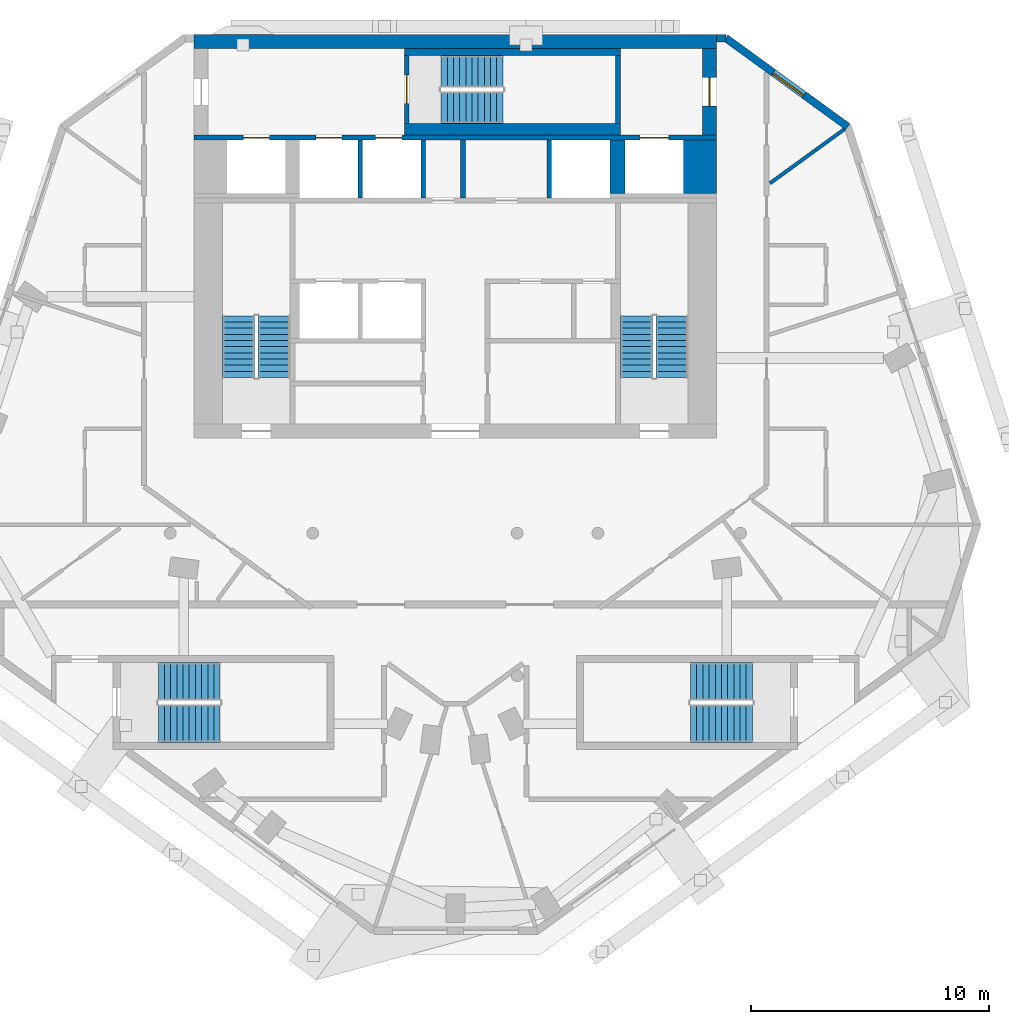
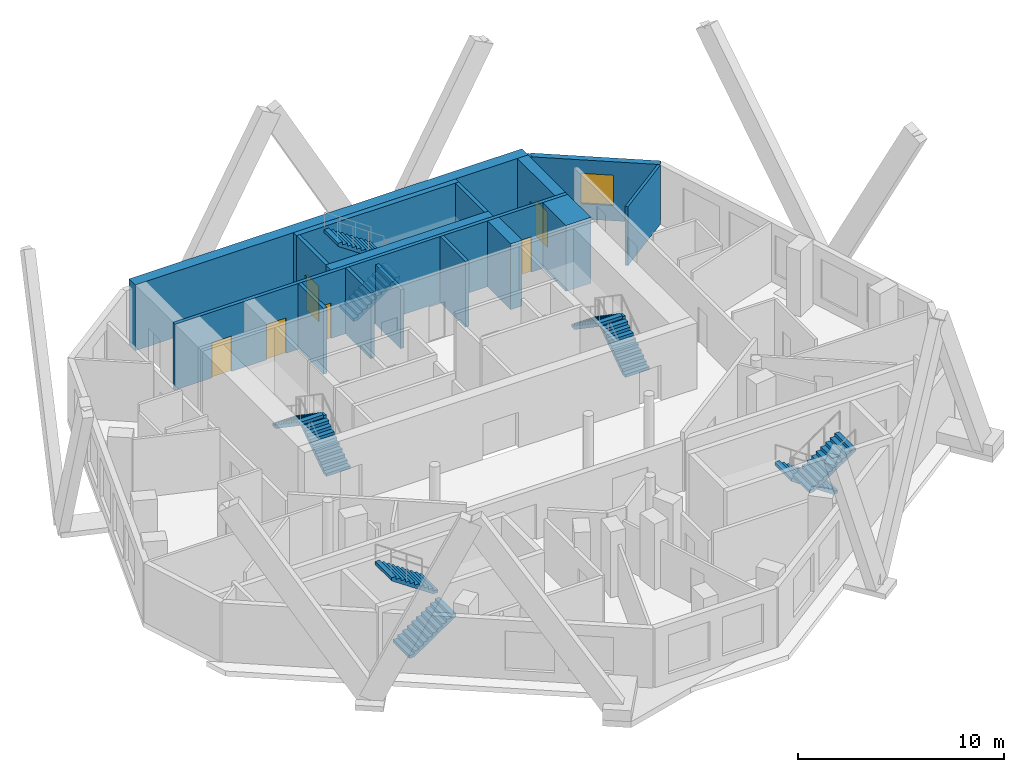
# One storey, part 6 of 8: 16 walls, 10 stair flights, 6 doors, 1 window, 7 openings, 5 elements without a shape of their own.
"""IFC4 building model written with IfcOpenShell, lengths in metres."""

from ifc_helpers import new_model, si_unit, direction, frame, frame_2d, origin, place, context, subcontext, project, spatial, polyline, rectangle, outline, extrude, material, layer, layer_set, type_object, element, fill, aggregate, save


model = new_model("IFC4")

# Units and contexts
model_context = context("Model", 3, precision=1e-05, world=origin(), true_north=direction((0.0, 1.0)))
body_context = subcontext(model_context, "Body", "Model", "MODEL_VIEW")
ifc_project = project(units=[si_unit("LENGTHUNIT", "METRE"), si_unit("AREAUNIT", "SQUARE_METRE"), si_unit("VOLUMEUNIT", "CUBIC_METRE"), si_unit("PLANEANGLEUNIT", "RADIAN"), si_unit("MASSUNIT", "GRAM", prefix="KILO")], contexts=[model_context])

# Site, building, storey
site_placement = place(None, origin())
site = spatial("IfcSite", under=ifc_project, at=site_placement, CompositionType="ELEMENT")
building_placement = place(site_placement, origin())
building = spatial("IfcBuilding", under=site, at=building_placement, Name="White Candle Pilgrim Tower", CompositionType="ELEMENT")
storey_placement = place(building_placement, frame((0.0, 0.0, 317.800048828125)))
storey = spatial("IfcBuildingStorey", under=building, at=storey_placement, Name="L75", CompositionType="ELEMENT", Elevation=317.800048828125)

# Wall
ifc_material_1 = material(Name="Concrete C40/50", Category="concrete")
ifc_layer_1 = layer(ifc_material_1, 1.39990234375)
ifc_layer_set_1 = layer_set([ifc_layer_1], Name="Core wall 1400 mm Concrete C40/50")
wall_type_1 = type_object("IfcWallType", Name="Core wall 1400 mm Concrete C40/50", PredefinedType="SHEAR", material=ifc_layer_set_1)
wall_1_placement = place(storey_placement, frame((80.300048828125, 81.300048828125, 0.0), z_axis=(0.0, 0.0, 1.0), x_axis=(0.0, 1.0, 0.0)))
element("IfcWall", 1, at=wall_1_placement, inside=storey, type_object=wall_type_1, Name="WL-L75-C43", PredefinedType="SHEAR", context=body_context, shape_type="SweptSolid", body=[
    extrude(rectangle(XDim=2.25, YDim=1.39990234375, at=frame_2d((1.125, 0.0))), origin(), (0.0, 0.0, 1.0), 3.89990234375),
])

# Wall, openings, doors
ifc_layer_2 = layer(ifc_material_1, 0.199951171875)
ifc_layer_set_2 = layer_set([ifc_layer_2], Name="Core wall 200 mm Concrete C40/50")
wall_type_2 = type_object("IfcWallType", Name="Core wall 200 mm Concrete C40/50", PredefinedType="SHEAR", material=ifc_layer_set_2)
wall_2_placement = place(storey_placement, frame((59.0, 83.64990234375, 0.0), z_axis=(0.0, 0.0, 1.0), x_axis=(1.0, 0.0, 0.0)))
wall_2 = element("IfcWall", 2, at=wall_2_placement, inside=storey, type_object=wall_type_2, Name="WL-L75-C44", PredefinedType="SHEAR", context=body_context, shape_type="SweptSolid", body=[
    extrude(rectangle(XDim=22.0, YDim=0.199951171875, at=frame_2d((11.0, 0.0))), origin(), (0.0, 0.0, 1.0), 3.89990234375),
])
opening_1_placement = place(wall_2_placement, frame((5.125, 0.0, 0.0)))
opening_1 = element("IfcOpeningElement", 3, at=opening_1_placement, cuts=wall_2, Name="Opening T23-016", PredefinedType="OPENING", context=body_context, shape_type="SweptSolid", body=[
    extrude(rectangle(XDim=1.10009765625, YDim=2.10009765625, at=frame_2d((0.550048828125, 1.050048828125))), frame((0.0, 0.10986328125, 0.0), z_axis=(0.0, -1.0, 0.0), x_axis=(1.0, 0.0, 0.0)), (0.0, 0.0, 1.0), 0.219970703125),
])
opening_2_placement = place(wall_2_placement, frame((7.64990234375, 0.0, 0.0)))
opening_2 = element("IfcOpeningElement", 4, at=opening_2_placement, cuts=wall_2, Name="Opening T23-017", PredefinedType="OPENING", context=body_context, shape_type="SweptSolid", body=[
    extrude(rectangle(XDim=1.10009765625, YDim=2.10009765625, at=frame_2d((0.550048828125, 1.050048828125))), frame((0.0, 0.10986328125, 0.0), z_axis=(0.0, -1.0, 0.0), x_axis=(1.0, 0.0, 0.0)), (0.0, 0.0, 1.0), 0.219970703125),
])
opening_3_placement = place(wall_2_placement, frame((18.77490234375, 0.0, 0.0)))
opening_3 = element("IfcOpeningElement", 5, at=opening_3_placement, cuts=wall_2, Name="Opening T23-018", PredefinedType="OPENING", context=body_context, shape_type="SweptSolid", body=[
    extrude(rectangle(XDim=1.199951171875, YDim=2.10009765625, at=frame_2d((0.60009765625, 1.050048828125))), frame((0.0, 0.10986328125, 0.0), z_axis=(0.0, -1.0, 0.0), x_axis=(1.0, 0.0, 0.0)), (0.0, 0.0, 1.0), 0.219970703125),
])
opening_4_placement = place(wall_2_placement, frame((2.074951171875, 0.0, 0.0)))
opening_4 = element("IfcOpeningElement", 6, at=opening_4_placement, cuts=wall_2, Name="Opening T23-019", PredefinedType="OPENING", context=body_context, shape_type="SweptSolid", body=[
    extrude(rectangle(XDim=1.10009765625, YDim=2.10009765625, at=frame_2d((0.550048828125, 1.050048828125))), frame((0.0, 0.10986328125, 0.0), z_axis=(0.0, -1.0, 0.0), x_axis=(1.0, 0.0, 0.0)), (0.0, 0.0, 1.0), 0.219970703125),
])
ifc_material_2 = material(Name="Stainless steel", Category="steel")
door_type_1 = type_object("IfcDoorType", Name="Lift landing door 1100 x 2100 EI 60", OperationType="DOUBLE_DOOR_SLIDING", PredefinedType="DOOR", material=ifc_material_2)
door_1_placement = place(opening_1_placement, origin())
door_1 = element("IfcDoor", 7, at=door_1_placement, inside=storey, type_object=door_type_1, Name="Door T23-016", OperationType="DOUBLE_DOOR_SLIDING", OverallHeight=2.10009765625, OverallWidth=1.10009765625, PredefinedType="DOOR", context=body_context, shape_type="SweptSolid", body=[
    extrude(rectangle(XDim=1.10009765625, YDim=2.10009765625, at=frame_2d((0.550048828125, 1.050048828125))), frame((0.0, 0.02490234375, 0.0), z_axis=(0.0, -1.0, 0.0), x_axis=(1.0, 0.0, 0.0)), (0.0, 0.0, 1.0), 0.050048828125),
])
fill(opening_1, door_1)
door_2_placement = place(opening_2_placement, origin())
door_2 = element("IfcDoor", 8, at=door_2_placement, inside=storey, type_object=door_type_1, Name="Door T23-017", OperationType="DOUBLE_DOOR_SLIDING", OverallHeight=2.10009765625, OverallWidth=1.10009765625, PredefinedType="DOOR", context=body_context, shape_type="SweptSolid", body=[
    extrude(rectangle(XDim=1.10009765625, YDim=2.10009765625, at=frame_2d((0.550048828125, 1.050048828125))), frame((0.0, 0.02490234375, 0.0), z_axis=(0.0, -1.0, 0.0), x_axis=(1.0, 0.0, 0.0)), (0.0, 0.0, 1.0), 0.050048828125),
])
fill(opening_2, door_2)
door_3_placement = place(opening_4_placement, origin())
door_3 = element("IfcDoor", 9, at=door_3_placement, inside=storey, type_object=door_type_1, Name="Door T23-019", OperationType="DOUBLE_DOOR_SLIDING", OverallHeight=2.10009765625, OverallWidth=1.10009765625, PredefinedType="DOOR", context=body_context, shape_type="SweptSolid", body=[
    extrude(rectangle(XDim=1.10009765625, YDim=2.10009765625, at=frame_2d((0.550048828125, 1.050048828125))), frame((0.0, 0.02490234375, 0.0), z_axis=(0.0, -1.0, 0.0), x_axis=(1.0, 0.0, 0.0)), (0.0, 0.0, 1.0), 0.050048828125),
])
fill(opening_4, door_3)
door_type_2 = type_object("IfcDoorType", Name="Lift landing door 1200 x 2100 E 60", OperationType="DOUBLE_DOOR_SLIDING", PredefinedType="DOOR", material=ifc_material_2)
door_4_placement = place(opening_3_placement, origin())
door_4 = element("IfcDoor", 10, at=door_4_placement, inside=storey, type_object=door_type_2, Name="Door T23-018", OperationType="DOUBLE_DOOR_SLIDING", OverallHeight=2.10009765625, OverallWidth=1.199951171875, PredefinedType="DOOR", context=body_context, shape_type="SweptSolid", body=[
    extrude(rectangle(XDim=1.199951171875, YDim=2.10009765625, at=frame_2d((0.60009765625, 1.050048828125))), frame((0.0, 0.02490234375, 0.0), z_axis=(0.0, -1.0, 0.0), x_axis=(1.0, 0.0, 0.0)), (0.0, 0.0, 1.0), 0.050048828125),
])
fill(opening_3, door_4)

# Wall, opening, door
ifc_layer_3 = layer(ifc_material_1, 0.60009765625)
ifc_layer_set_3 = layer_set([ifc_layer_3], Name="Core wall 600 mm Concrete C40/50")
wall_type_3 = type_object("IfcWallType", Name="Core wall 600 mm Concrete C40/50", PredefinedType="SHEAR", material=ifc_layer_set_3)
wall_3_placement = place(storey_placement, frame((80.699951171875, 83.75, 0.0), z_axis=(0.0, 0.0, 1.0), x_axis=(0.0, 1.0, 0.0)))
wall_3 = element("IfcWall", 11, at=wall_3_placement, inside=storey, type_object=wall_type_3, Name="WL-L75-C47", PredefinedType="SHEAR", context=body_context, shape_type="SweptSolid", body=[
    extrude(rectangle(XDim=3.64990234375, YDim=0.60009765625, at=frame_2d((1.824951171875, 0.0))), origin(), (0.0, 0.0, 1.0), 3.89990234375),
])
opening_5_placement = place(wall_3_placement, frame((1.22509765625, 0.0, 0.0)))
opening_5 = element("IfcOpeningElement", 12, at=opening_5_placement, cuts=wall_3, Name="Opening T23-009", PredefinedType="OPENING", context=body_context, shape_type="SweptSolid", body=[
    extrude(rectangle(XDim=1.199951171875, YDim=2.10009765625, at=frame_2d((0.60009765625, 1.050048828125))), frame((0.0, 0.31005859375, 0.0), z_axis=(0.0, -1.0, 0.0), x_axis=(1.0, 0.0, 0.0)), (0.0, 0.0, 1.0), 0.6201171875),
])
ifc_material_3 = material(Name="Steel door leaf", Category="steel")
door_type_3 = type_object("IfcDoorType", Name="Fire door 1200 x 2100 EI 30", OperationType="NOTDEFINED", PredefinedType="DOOR", material=ifc_material_3)
door_5_placement = place(opening_5_placement, origin())
door_5 = element("IfcDoor", 13, at=door_5_placement, inside=storey, type_object=door_type_3, Name="Door T23-009", OperationType="SINGLE_SWING_LEFT", OverallHeight=2.10009765625, OverallWidth=1.199951171875, PredefinedType="DOOR", context=body_context, shape_type="SweptSolid", body=[
    extrude(rectangle(XDim=1.199951171875, YDim=2.10009765625, at=frame_2d((0.60009765625, 1.050048828125))), frame((0.0, 0.02490234375, 0.0), z_axis=(0.0, -1.0, 0.0), x_axis=(1.0, 0.0, 0.0)), (0.0, 0.0, 1.0), 0.050048828125),
])
fill(opening_5, door_5)

# Wall
wall_4_placement = place(storey_placement, frame((59.0, 87.699951171875, 0.0), z_axis=(0.0, 0.0, 1.0), x_axis=(1.0, 0.0, 0.0)))
element("IfcWall", 14, at=wall_4_placement, inside=storey, type_object=wall_type_3, Name="WL-L75-C51", PredefinedType="SHEAR", context=body_context, shape_type="SweptSolid", body=[
    extrude(rectangle(XDim=22.0, YDim=0.60009765625, at=frame_2d((11.0, 0.0))), origin(), (0.0, 0.0, 1.0), 3.89990234375),
])

# Wall, opening, window
ifc_material_4 = material(Name="Precast concrete C40/50", Category="concrete")
ifc_layer_4 = layer(ifc_material_4, 0.320068359375)
ifc_layer_set_4 = layer_set([ifc_layer_4], Name="Facade wall EW1 precast concrete C40/50 pier wall with timber-lined reveals")
wall_type_4 = type_object("IfcWallType", Name="Facade wall EW1 precast concrete C40/50 pier wall with timber-lined reveals", PredefinedType="SOLIDWALL", material=ifc_layer_set_4)
wall_5_placement = place(storey_placement, frame((86.5205078125, 84.10888671875, 0.0), z_axis=(0.0, 0.0, 1.0), x_axis=(-0.809013740323, 0.587789731084, 0.0)))
wall_5 = element("IfcWall", 15, at=wall_5_placement, inside=storey, type_object=wall_type_4, Name="Facade wall L75 NE chamfer", PredefinedType="SOLIDWALL", context=body_context, shape_type="SweptSolid", body=[
    extrude(rectangle(XDim=6.347900390625, YDim=0.320068359375, at=frame_2d((3.173828125, 0.0))), origin(), (0.0, 0.0, 1.0), 3.5),
])
opening_6_placement = place(wall_5_placement, frame((2.27392578125, 0.0, 0.89990234375)))
opening_6 = element("IfcOpeningElement", 16, at=opening_6_placement, cuts=wall_5, Name="Opening W2", PredefinedType="OPENING", context=body_context, shape_type="SweptSolid", body=[
    extrude(rectangle(XDim=1.60009765625, YDim=1.800048828125, at=frame_2d((0.800048828125, 0.89990234375))), frame((0.0, 0.169921875, 0.0), z_axis=(0.0, -1.0, 0.0), x_axis=(1.0, 0.0, 0.0)), (0.0, 0.0, 1.0), 0.340087890625),
])
ifc_material_5 = material(Name="Timber frame with triple glazing", Category="wood")
window_type = type_object("IfcWindowType", Name="Window W2 1600x1800 timber frame triple glazing", PartitioningType="SINGLE_PANEL", PredefinedType="WINDOW", material=ifc_material_5)
window_placement = place(opening_6_placement, origin())
window = element("IfcWindow", 17, at=window_placement, inside=storey, type_object=window_type, Name="Window W2 L75 NE chamfer 1", OverallHeight=1.800048828125, OverallWidth=1.60009765625, PartitioningType="SINGLE_PANEL", PredefinedType="WINDOW", context=body_context, shape_type="SweptSolid", body=[
    extrude(rectangle(XDim=1.60009765625, YDim=1.800048828125, at=frame_2d((0.800048828125, 0.89990234375))), frame((0.0, 0.070068359375, 0.0), z_axis=(0.0, -1.0, 0.0), x_axis=(1.0, 0.0, 0.0)), (0.0, 0.0, 1.0), 0.06005859375),
])
fill(opening_6, window)

# Walls
wall_6_placement = place(storey_placement, frame((81.385009765625, 87.840087890625, 0.0), z_axis=(0.0, 0.0, 1.0), x_axis=(-1.0, 0.0, 0.0)))
element("IfcWall", 18, at=wall_6_placement, inside=storey, type_object=wall_type_4, Name="Facade wall L75 N", PredefinedType="SOLIDWALL", context=body_context, shape_type="SweptSolid", body=[
    extrude(rectangle(XDim=0.385009765625, YDim=0.320068359375, at=frame_2d((0.1923828125, 0.0))), origin(), (0.0, 0.0, 1.0), 3.5),
])
ifc_material_6 = material(Name="Gypsum board on steel studs", Category="steel")
ifc_layer_5 = layer(ifc_material_6, 0.199951171875)
ifc_layer_set_5 = layer_set([ifc_layer_5], Name="Lobby wall 200 mm EI 60")
wall_type_5 = type_object("IfcWallType", Name="Lobby wall 200 mm EI 60", PredefinedType="PARTITIONING", material=ifc_layer_set_5)
wall_7_placement = place(storey_placement, frame((70.320068359375, 81.10009765625, 0.0), z_axis=(0.0, 0.0, 1.0), x_axis=(0.0, 1.0, 0.0)))
element("IfcWall", 19, at=wall_7_placement, inside=storey, type_object=wall_type_5, Name="WL-L75-C37", PredefinedType="PARTITIONING", context=body_context, shape_type="SweptSolid", body=[
    extrude(rectangle(XDim=2.449951171875, YDim=0.199951171875, at=frame_2d((1.22509765625, 0.0))), origin(), (0.0, 0.0, 1.0), 3.5),
])
ifc_layer_6 = layer(ifc_material_6, 0.14990234375)
ifc_layer_set_6 = layer_set([ifc_layer_6], Name="Partition 150 mm EI 60")
wall_type_6 = type_object("IfcWallType", Name="Partition 150 mm EI 60", PredefinedType="PARTITIONING", material=ifc_layer_set_6)
wall_8_placement = place(storey_placement, frame((86.384521484375, 84.010009765625, 0.0), z_axis=(0.0, 0.0, 1.0), x_axis=(-0.809002534855, -0.5878051536, 0.0)))
element("IfcWall", 20, at=wall_8_placement, inside=storey, type_object=wall_type_6, Name="WL-L75-P024", PredefinedType="PARTITIONING", context=body_context, shape_type="SweptSolid", body=[
    extrude(rectangle(XDim=3.8818359375, YDim=0.14990234375, at=frame_2d((1.94091796875, 0.0))), origin(), (0.0, 0.0, 1.0), 3.5),
])
ifc_layer_7 = layer(ifc_material_1, 0.199951171875)
ifc_layer_set_7 = layer_set([ifc_layer_7], Name="Shaft wall 200 mm Concrete C40/50")
wall_type_7 = type_object("IfcWallType", Name="Shaft wall 200 mm Concrete C40/50", PredefinedType="SHEAR", material=ifc_layer_set_7)
for number, where, z_axis, x_axis, name in (
    (21, (66.0, 81.10009765625, 0.0), (0.0, 0.0, 1.0), (0.0, 1.0, 0.0), "WL-L75-C35"),
    (22, (68.64990234375, 81.10009765625, 0.0), (0.0, 0.0, 1.0), (0.0, 1.0, 0.0), "WL-L75-C36"),
    (23, (73.949951171875, 81.10009765625, 0.0), (0.0, 0.0, 1.0), (0.0, 1.0, 0.0), "WL-L75-C38"),
):
    element("IfcWall", number, at=place(storey_placement, frame(where, z_axis=z_axis, x_axis=x_axis)), inside=storey, type_object=wall_type_7, Name=name, PredefinedType="SHEAR", context=body_context, shape_type="SweptSolid", body=[
        extrude(rectangle(XDim=2.449951171875, YDim=0.199951171875, at=frame_2d((1.22509765625, 0.0))), origin(), (0.0, 0.0, 1.0), 3.89990234375),
    ])
ifc_layer_8 = layer(ifc_material_1, 0.64990234375)
ifc_layer_set_8 = layer_set([ifc_layer_8], Name="Shaft wall 650 mm Concrete C40/50")
wall_type_8 = type_object("IfcWallType", Name="Shaft wall 650 mm Concrete C40/50", PredefinedType="SHEAR", material=ifc_layer_set_8)
wall_9_placement = place(storey_placement, frame((76.824951171875, 81.300048828125, 0.0), z_axis=(0.0, 0.0, 1.0), x_axis=(0.0, 1.0, 0.0)))
element("IfcWall", 24, at=wall_9_placement, inside=storey, type_object=wall_type_8, Name="WL-L75-C42", PredefinedType="SHEAR", context=body_context, shape_type="SweptSolid", body=[
    extrude(rectangle(XDim=2.25, YDim=0.64990234375, at=frame_2d((1.125, 0.0))), origin(), (0.0, 0.0, 1.0), 3.89990234375),
])

# Wall, opening, door
ifc_layer_9 = layer(ifc_material_1, 0.199951171875)
ifc_layer_set_9 = layer_set([ifc_layer_9], Name="Stair shaft wall 200 mm Concrete C40/50")
wall_type_9 = type_object("IfcWallType", Name="Stair shaft wall 200 mm Concrete C40/50", PredefinedType="SHEAR", material=ifc_layer_set_9)
wall_10_placement = place(storey_placement, frame((67.949951171875, 84.25, 0.0), z_axis=(0.0, 0.0, 1.0), x_axis=(0.0, 1.0, 0.0)))
wall_10 = element("IfcWall", 25, at=wall_10_placement, inside=storey, type_object=wall_type_9, Name="WL-L75-C48", PredefinedType="SHEAR", context=body_context, shape_type="SweptSolid", body=[
    extrude(rectangle(XDim=2.85009765625, YDim=0.199951171875, at=frame_2d((1.425048828125, 0.0))), origin(), (0.0, 0.0, 1.0), 3.89990234375),
])
opening_7_placement = place(wall_10_placement, frame((0.824951171875, 0.0, 0.0)))
opening_7 = element("IfcOpeningElement", 26, at=opening_7_placement, cuts=wall_10, Name="Opening T23-003", PredefinedType="OPENING", context=body_context, shape_type="SweptSolid", body=[
    extrude(rectangle(XDim=1.199951171875, YDim=2.10009765625, at=frame_2d((0.60009765625, 1.050048828125))), frame((0.0, 0.10986328125, 0.0), z_axis=(0.0, -1.0, 0.0), x_axis=(1.0, 0.0, 0.0)), (0.0, 0.0, 1.0), 0.219970703125),
])
door_type_4 = type_object("IfcDoorType", Name="Fire door 1200 x 2100 EI 60", OperationType="NOTDEFINED", PredefinedType="DOOR", material=ifc_material_3)
door_6_placement = place(opening_7_placement, frame((1.199951171875, 0.0, 0.0), z_axis=(0.0, 0.0, 1.0), x_axis=(-1.0, 0.0, 0.0)))
door_6 = element("IfcDoor", 27, at=door_6_placement, inside=storey, type_object=door_type_4, Name="Door T23-003", OperationType="SINGLE_SWING_RIGHT", OverallHeight=2.10009765625, OverallWidth=1.199951171875, PredefinedType="DOOR", context=body_context, shape_type="SweptSolid", body=[
    extrude(rectangle(XDim=1.199951171875, YDim=2.10009765625, at=frame_2d((0.60009765625, 1.050048828125))), frame((0.0, 0.02490234375, 0.0), z_axis=(0.0, -1.0, 0.0), x_axis=(1.0, 0.0, 0.0)), (0.0, 0.0, 1.0), 0.050048828125),
])
fill(opening_7, door_6)

# Walls
wall_11_placement = place(storey_placement, frame((76.85009765625, 84.25, 0.0), z_axis=(0.0, 0.0, 1.0), x_axis=(0.0, 1.0, 0.0)))
element("IfcWall", 28, at=wall_11_placement, inside=storey, type_object=wall_type_9, Name="WL-L75-C49", PredefinedType="SHEAR", context=body_context, shape_type="SweptSolid", body=[
    extrude(rectangle(XDim=2.85009765625, YDim=0.199951171875, at=frame_2d((1.425048828125, 0.0))), origin(), (0.0, 0.0, 1.0), 3.89990234375),
])
ifc_layer_10 = layer(ifc_material_1, 0.300048828125)
ifc_layer_set_10 = layer_set([ifc_layer_10], Name="Stair shaft wall 300 mm Concrete C40/50")
wall_type_10 = type_object("IfcWallType", Name="Stair shaft wall 300 mm Concrete C40/50", PredefinedType="SHEAR", material=ifc_layer_set_10)
wall_12_placement = place(storey_placement, frame((67.85009765625, 87.25, 0.0), z_axis=(0.0, 0.0, 1.0), x_axis=(1.0, 0.0, 0.0)))
element("IfcWall", 29, at=wall_12_placement, inside=storey, type_object=wall_type_10, Name="WL-L75-C50", PredefinedType="SHEAR", context=body_context, shape_type="SweptSolid", body=[
    extrude(rectangle(XDim=9.099853515625, YDim=0.300048828125, at=frame_2d((4.5498046875, 0.0))), origin(), (0.0, 0.0, 1.0), 3.89990234375),
])
ifc_layer_11 = layer(ifc_material_1, 0.5)
ifc_layer_set_11 = layer_set([ifc_layer_11], Name="Stair shaft wall 500 mm Concrete C40/50")
wall_type_11 = type_object("IfcWallType", Name="Stair shaft wall 500 mm Concrete C40/50", PredefinedType="SHEAR", material=ifc_layer_set_11)
wall_13_placement = place(storey_placement, frame((67.85009765625, 84.0, 0.0), z_axis=(0.0, 0.0, 1.0), x_axis=(1.0, 0.0, 0.0)))
element("IfcWall", 30, at=wall_13_placement, inside=storey, type_object=wall_type_11, Name="WL-L75-C46", PredefinedType="SHEAR", context=body_context, shape_type="SweptSolid", body=[
    extrude(rectangle(XDim=9.099853515625, YDim=0.5, at=frame_2d((4.5498046875, 0.0))), origin(), (0.0, 0.0, 1.0), 3.89990234375),
])

# Stair, stair flights
stair_type_1 = type_object("IfcStairType", Name="Exit stair 1 flight width 1350 mm", PredefinedType="HALF_TURN_STAIR", material=ifc_material_1)
stair_1_placement = place(storey_placement, origin())
stair_1 = element("IfcStair", 31, at=stair_1_placement, inside=storey, type_object=stair_type_1, Name="L75 stair 1", PredefinedType="NOTDEFINED")
ifc_layer_12 = layer(ifc_material_1, 0.14990234375)
ifc_layer_set_12 = layer_set([ifc_layer_12], Name="Stair flight Concrete C40/50")
stair_flight_type = type_object("IfcStairFlightType", Name="Stair flight Concrete C40/50", PredefinedType="STRAIGHT", material=ifc_layer_set_12)
stair_flight_1_placement = place(storey_placement, frame((62.375, 73.550048828125, 0.0), z_axis=(0.0, 0.0, 1.0), x_axis=(0.0, 1.0, 0.0)))
stair_flight_1 = element("IfcStairFlight", 32, at=stair_flight_1_placement, type_object=stair_flight_type, Name="ST1 flight 1", NumberOfRisers=11, NumberOfTreads=10, PredefinedType="NOTDEFINED", RiserHeight=0.177272727, TreadLength=0.26, context=body_context, shape_type="SweptSolid", body=[
    extrude(outline(polyline([(0.0, 0.0), (0.0, 0.17724609375), (0.260009765625, 0.17724609375), (0.260009765625, 0.3544921875), (0.52001953125, 0.3544921875), (0.52001953125, 0.53173828125), (0.780029296875, 0.53173828125), (0.780029296875, 0.708984375), (1.0400390625, 0.708984375), (1.0400390625, 0.886474609375), (1.300048828125, 0.886474609375), (1.300048828125, 1.063720703125), (1.56005859375, 1.063720703125), (1.56005859375, 1.240966796875), (1.820068359375, 1.240966796875), (1.820068359375, 1.418212890625), (2.080078125, 1.418212890625), (2.080078125, 1.595458984375), (2.340087890625, 1.595458984375), (2.340087890625, 1.772705078125), (2.60009765625, 1.772705078125), (2.60009765625, 1.949951171875), (2.60009765625, 1.59130859375), (0.26611328125, 0.0), (0.0, 0.0)])), frame((0.0, 0.675048828125, 0.0), z_axis=(0.0, -1.0, 0.0), x_axis=(1.0, 0.0, 0.0)), (0.0, 0.0, 1.0), 1.35009765625),
])
stair_flight_2_placement = place(storey_placement, frame((60.875, 76.14990234375, 1.949951171875), z_axis=(0.0, 0.0, 1.0), x_axis=(0.0, -1.0, 0.0)))
stair_flight_2 = element("IfcStairFlight", 33, at=stair_flight_2_placement, type_object=stair_flight_type, Name="ST1 flight 2", NumberOfRisers=11, NumberOfTreads=10, PredefinedType="NOTDEFINED", RiserHeight=0.177272727, TreadLength=0.26, context=body_context, shape_type="SweptSolid", body=[
    extrude(outline(polyline([(0.0, 0.0), (0.0, 0.17724609375), (0.260009765625, 0.17724609375), (0.260009765625, 0.3544921875), (0.52001953125, 0.3544921875), (0.52001953125, 0.53173828125), (0.780029296875, 0.53173828125), (0.780029296875, 0.708984375), (1.0400390625, 0.708984375), (1.0400390625, 0.886474609375), (1.300048828125, 0.886474609375), (1.300048828125, 1.063720703125), (1.56005859375, 1.063720703125), (1.56005859375, 1.240966796875), (1.820068359375, 1.240966796875), (1.820068359375, 1.418212890625), (2.080078125, 1.418212890625), (2.080078125, 1.595458984375), (2.340087890625, 1.595458984375), (2.340087890625, 1.772705078125), (2.60009765625, 1.772705078125), (2.60009765625, 1.949951171875), (2.60009765625, 1.59130859375), (0.26611328125, 0.0), (0.0, 0.0)])), frame((0.0, 0.675048828125, 0.0), z_axis=(0.0, -1.0, 0.0), x_axis=(1.0, 0.0, 0.0)), (0.0, 0.0, 1.0), 1.35009765625),
])
aggregate(stair_1, [stair_flight_1, stair_flight_2])

stair_type_2 = type_object("IfcStairType", Name="Exit stair 2 flight width 1350 mm", PredefinedType="HALF_TURN_STAIR", material=ifc_material_1)
stair_2_placement = place(storey_placement, origin())
stair_2 = element("IfcStair", 34, at=stair_2_placement, inside=storey, type_object=stair_type_2, Name="L75 stair 2", PredefinedType="NOTDEFINED")
stair_flight_3_placement = place(storey_placement, frame((79.125, 73.550048828125, 0.0), z_axis=(0.0, 0.0, 1.0), x_axis=(0.0, 1.0, 0.0)))
stair_flight_3 = element("IfcStairFlight", 35, at=stair_flight_3_placement, type_object=stair_flight_type, Name="ST2 flight 1", NumberOfRisers=11, NumberOfTreads=10, PredefinedType="NOTDEFINED", RiserHeight=0.177272727, TreadLength=0.26, context=body_context, shape_type="SweptSolid", body=[
    extrude(outline(polyline([(0.0, 0.0), (0.0, 0.17724609375), (0.260009765625, 0.17724609375), (0.260009765625, 0.3544921875), (0.52001953125, 0.3544921875), (0.52001953125, 0.53173828125), (0.780029296875, 0.53173828125), (0.780029296875, 0.708984375), (1.0400390625, 0.708984375), (1.0400390625, 0.886474609375), (1.300048828125, 0.886474609375), (1.300048828125, 1.063720703125), (1.56005859375, 1.063720703125), (1.56005859375, 1.240966796875), (1.820068359375, 1.240966796875), (1.820068359375, 1.418212890625), (2.080078125, 1.418212890625), (2.080078125, 1.595458984375), (2.340087890625, 1.595458984375), (2.340087890625, 1.772705078125), (2.60009765625, 1.772705078125), (2.60009765625, 1.949951171875), (2.60009765625, 1.59130859375), (0.26611328125, 0.0), (0.0, 0.0)])), frame((0.0, 0.675048828125, 0.0), z_axis=(0.0, -1.0, 0.0), x_axis=(1.0, 0.0, 0.0)), (0.0, 0.0, 1.0), 1.35009765625),
])
stair_flight_4_placement = place(storey_placement, frame((77.625, 76.14990234375, 1.949951171875), z_axis=(0.0, 0.0, 1.0), x_axis=(0.0, -1.0, 0.0)))
stair_flight_4 = element("IfcStairFlight", 36, at=stair_flight_4_placement, type_object=stair_flight_type, Name="ST2 flight 2", NumberOfRisers=11, NumberOfTreads=10, PredefinedType="NOTDEFINED", RiserHeight=0.177272727, TreadLength=0.26, context=body_context, shape_type="SweptSolid", body=[
    extrude(outline(polyline([(0.0, 0.0), (0.0, 0.17724609375), (0.260009765625, 0.17724609375), (0.260009765625, 0.3544921875), (0.52001953125, 0.3544921875), (0.52001953125, 0.53173828125), (0.780029296875, 0.53173828125), (0.780029296875, 0.708984375), (1.0400390625, 0.708984375), (1.0400390625, 0.886474609375), (1.300048828125, 0.886474609375), (1.300048828125, 1.063720703125), (1.56005859375, 1.063720703125), (1.56005859375, 1.240966796875), (1.820068359375, 1.240966796875), (1.820068359375, 1.418212890625), (2.080078125, 1.418212890625), (2.080078125, 1.595458984375), (2.340087890625, 1.595458984375), (2.340087890625, 1.772705078125), (2.60009765625, 1.772705078125), (2.60009765625, 1.949951171875), (2.60009765625, 1.59130859375), (0.26611328125, 0.0), (0.0, 0.0)])), frame((0.0, 0.675048828125, 0.0), z_axis=(0.0, -1.0, 0.0), x_axis=(1.0, 0.0, 0.0)), (0.0, 0.0, 1.0), 1.35009765625),
])
aggregate(stair_2, [stair_flight_3, stair_flight_4])

stair_type_3 = type_object("IfcStairType", Name="Exit stair 3 flight width 1350 mm", PredefinedType="HALF_TURN_STAIR", material=ifc_material_1)
stair_3_placement = place(storey_placement, origin())
stair_3 = element("IfcStair", 37, at=stair_3_placement, inside=storey, type_object=stair_type_3, Name="L75 stair 3", PredefinedType="NOTDEFINED")
stair_flight_5_placement = place(storey_placement, frame((69.39990234375, 84.925048828125, 0.0), z_axis=(0.0, 0.0, 1.0), x_axis=(1.0, 0.0, 0.0)))
stair_flight_5 = element("IfcStairFlight", 38, at=stair_flight_5_placement, type_object=stair_flight_type, Name="ST3 flight 1", NumberOfRisers=11, NumberOfTreads=10, PredefinedType="NOTDEFINED", RiserHeight=0.177272727, TreadLength=0.26, context=body_context, shape_type="SweptSolid", body=[
    extrude(outline(polyline([(0.0, 0.0), (0.0, 0.17724609375), (0.260009765625, 0.17724609375), (0.260009765625, 0.3544921875), (0.52001953125, 0.3544921875), (0.52001953125, 0.53173828125), (0.780029296875, 0.53173828125), (0.780029296875, 0.708984375), (1.0400390625, 0.708984375), (1.0400390625, 0.886474609375), (1.300048828125, 0.886474609375), (1.300048828125, 1.063720703125), (1.56005859375, 1.063720703125), (1.56005859375, 1.240966796875), (1.820068359375, 1.240966796875), (1.820068359375, 1.418212890625), (2.080078125, 1.418212890625), (2.080078125, 1.595458984375), (2.340087890625, 1.595458984375), (2.340087890625, 1.772705078125), (2.60009765625, 1.772705078125), (2.60009765625, 1.949951171875), (2.60009765625, 1.59130859375), (0.26611328125, 0.0), (0.0, 0.0)])), frame((0.0, 0.675048828125, 0.0), z_axis=(0.0, -1.0, 0.0), x_axis=(1.0, 0.0, 0.0)), (0.0, 0.0, 1.0), 1.35009765625),
])
stair_flight_6_placement = place(storey_placement, frame((72.0, 86.425048828125, 1.949951171875), z_axis=(0.0, 0.0, 1.0), x_axis=(-1.0, 0.0, 0.0)))
stair_flight_6 = element("IfcStairFlight", 39, at=stair_flight_6_placement, type_object=stair_flight_type, Name="ST3 flight 2", NumberOfRisers=11, NumberOfTreads=10, PredefinedType="NOTDEFINED", RiserHeight=0.177272727, TreadLength=0.26, context=body_context, shape_type="SweptSolid", body=[
    extrude(outline(polyline([(0.0, 0.0), (0.0, 0.17724609375), (0.260009765625, 0.17724609375), (0.260009765625, 0.3544921875), (0.52001953125, 0.3544921875), (0.52001953125, 0.53173828125), (0.780029296875, 0.53173828125), (0.780029296875, 0.708984375), (1.0400390625, 0.708984375), (1.0400390625, 0.886474609375), (1.300048828125, 0.886474609375), (1.300048828125, 1.063720703125), (1.56005859375, 1.063720703125), (1.56005859375, 1.240966796875), (1.820068359375, 1.240966796875), (1.820068359375, 1.418212890625), (2.080078125, 1.418212890625), (2.080078125, 1.595458984375), (2.340087890625, 1.595458984375), (2.340087890625, 1.772705078125), (2.60009765625, 1.772705078125), (2.60009765625, 1.949951171875), (2.60009765625, 1.59130859375), (0.26611328125, 0.0), (0.0, 0.0)])), frame((0.0, 0.675048828125, 0.0), z_axis=(0.0, -1.0, 0.0), x_axis=(1.0, 0.0, 0.0)), (0.0, 0.0, 1.0), 1.35009765625),
])
aggregate(stair_3, [stair_flight_5, stair_flight_6])

stair_type_4 = type_object("IfcStairType", Name="Exit stair 4 flight width 1600 mm", PredefinedType="HALF_TURN_STAIR", material=ifc_material_1)
stair_4_placement = place(storey_placement, origin())
stair_4 = element("IfcStair", 40, at=stair_4_placement, inside=storey, type_object=stair_type_4, Name="L75 stair 4", PredefinedType="NOTDEFINED")
stair_flight_7_placement = place(storey_placement, frame((82.5, 60.75, 0.0), z_axis=(0.0, 0.0, 1.0), x_axis=(-1.0, 0.0, 0.0)))
stair_flight_7 = element("IfcStairFlight", 41, at=stair_flight_7_placement, type_object=stair_flight_type, Name="ST4 flight 1", NumberOfRisers=11, NumberOfTreads=10, PredefinedType="NOTDEFINED", RiserHeight=0.177272727, TreadLength=0.26, context=body_context, shape_type="SweptSolid", body=[
    extrude(outline(polyline([(0.0, 0.0), (0.0, 0.17724609375), (0.260009765625, 0.17724609375), (0.260009765625, 0.3544921875), (0.52001953125, 0.3544921875), (0.52001953125, 0.53173828125), (0.780029296875, 0.53173828125), (0.780029296875, 0.708984375), (1.0400390625, 0.708984375), (1.0400390625, 0.886474609375), (1.300048828125, 0.886474609375), (1.300048828125, 1.063720703125), (1.56005859375, 1.063720703125), (1.56005859375, 1.240966796875), (1.820068359375, 1.240966796875), (1.820068359375, 1.418212890625), (2.080078125, 1.418212890625), (2.080078125, 1.595458984375), (2.340087890625, 1.595458984375), (2.340087890625, 1.772705078125), (2.60009765625, 1.772705078125), (2.60009765625, 1.949951171875), (2.60009765625, 1.59130859375), (0.26611328125, 0.0), (0.0, 0.0)])), frame((0.0, 0.800048828125, 0.0), z_axis=(0.0, -1.0, 0.0), x_axis=(1.0, 0.0, 0.0)), (0.0, 0.0, 1.0), 1.60009765625),
])
stair_flight_8_placement = place(storey_placement, frame((79.89990234375, 59.0, 1.949951171875), z_axis=(0.0, 0.0, 1.0), x_axis=(1.0, 0.0, 0.0)))
stair_flight_8 = element("IfcStairFlight", 42, at=stair_flight_8_placement, type_object=stair_flight_type, Name="ST4 flight 2", NumberOfRisers=11, NumberOfTreads=10, PredefinedType="NOTDEFINED", RiserHeight=0.177272727, TreadLength=0.26, context=body_context, shape_type="SweptSolid", body=[
    extrude(outline(polyline([(0.0, 0.0), (0.0, 0.17724609375), (0.260009765625, 0.17724609375), (0.260009765625, 0.3544921875), (0.52001953125, 0.3544921875), (0.52001953125, 0.53173828125), (0.780029296875, 0.53173828125), (0.780029296875, 0.708984375), (1.0400390625, 0.708984375), (1.0400390625, 0.886474609375), (1.300048828125, 0.886474609375), (1.300048828125, 1.063720703125), (1.56005859375, 1.063720703125), (1.56005859375, 1.240966796875), (1.820068359375, 1.240966796875), (1.820068359375, 1.418212890625), (2.080078125, 1.418212890625), (2.080078125, 1.595458984375), (2.340087890625, 1.595458984375), (2.340087890625, 1.772705078125), (2.60009765625, 1.772705078125), (2.60009765625, 1.949951171875), (2.60009765625, 1.59130859375), (0.26611328125, 0.0), (0.0, 0.0)])), frame((0.0, 0.800048828125, 0.0), z_axis=(0.0, -1.0, 0.0), x_axis=(1.0, 0.0, 0.0)), (0.0, 0.0, 1.0), 1.60009765625),
])
aggregate(stair_4, [stair_flight_7, stair_flight_8])

stair_type_5 = type_object("IfcStairType", Name="Exit stair 5 flight width 1600 mm", PredefinedType="HALF_TURN_STAIR", material=ifc_material_1)
stair_5_placement = place(storey_placement, origin())
stair_5 = element("IfcStair", 43, at=stair_5_placement, inside=storey, type_object=stair_type_5, Name="L75 stair 5", PredefinedType="NOTDEFINED")
stair_flight_9_placement = place(storey_placement, frame((57.5, 59.0, 0.0), z_axis=(0.0, 0.0, 1.0), x_axis=(1.0, 0.0, 0.0)))
stair_flight_9 = element("IfcStairFlight", 44, at=stair_flight_9_placement, type_object=stair_flight_type, Name="ST5 flight 1", NumberOfRisers=11, NumberOfTreads=10, PredefinedType="NOTDEFINED", RiserHeight=0.177272727, TreadLength=0.26, context=body_context, shape_type="SweptSolid", body=[
    extrude(outline(polyline([(0.0, 0.0), (0.0, 0.17724609375), (0.260009765625, 0.17724609375), (0.260009765625, 0.3544921875), (0.52001953125, 0.3544921875), (0.52001953125, 0.53173828125), (0.780029296875, 0.53173828125), (0.780029296875, 0.708984375), (1.0400390625, 0.708984375), (1.0400390625, 0.886474609375), (1.300048828125, 0.886474609375), (1.300048828125, 1.063720703125), (1.56005859375, 1.063720703125), (1.56005859375, 1.240966796875), (1.820068359375, 1.240966796875), (1.820068359375, 1.418212890625), (2.080078125, 1.418212890625), (2.080078125, 1.595458984375), (2.340087890625, 1.595458984375), (2.340087890625, 1.772705078125), (2.60009765625, 1.772705078125), (2.60009765625, 1.949951171875), (2.60009765625, 1.59130859375), (0.26611328125, 0.0), (0.0, 0.0)])), frame((0.0, 0.800048828125, 0.0), z_axis=(0.0, -1.0, 0.0), x_axis=(1.0, 0.0, 0.0)), (0.0, 0.0, 1.0), 1.60009765625),
])
stair_flight_10_placement = place(storey_placement, frame((60.10009765625, 60.75, 1.949951171875), z_axis=(0.0, 0.0, 1.0), x_axis=(-1.0, 0.0, 0.0)))
stair_flight_10 = element("IfcStairFlight", 45, at=stair_flight_10_placement, type_object=stair_flight_type, Name="ST5 flight 2", NumberOfRisers=11, NumberOfTreads=10, PredefinedType="NOTDEFINED", RiserHeight=0.177272727, TreadLength=0.26, context=body_context, shape_type="SweptSolid", body=[
    extrude(outline(polyline([(0.0, 0.0), (0.0, 0.17724609375), (0.260009765625, 0.17724609375), (0.260009765625, 0.3544921875), (0.52001953125, 0.3544921875), (0.52001953125, 0.53173828125), (0.780029296875, 0.53173828125), (0.780029296875, 0.708984375), (1.0400390625, 0.708984375), (1.0400390625, 0.886474609375), (1.300048828125, 0.886474609375), (1.300048828125, 1.063720703125), (1.56005859375, 1.063720703125), (1.56005859375, 1.240966796875), (1.820068359375, 1.240966796875), (1.820068359375, 1.418212890625), (2.080078125, 1.418212890625), (2.080078125, 1.595458984375), (2.340087890625, 1.595458984375), (2.340087890625, 1.772705078125), (2.60009765625, 1.772705078125), (2.60009765625, 1.949951171875), (2.60009765625, 1.59130859375), (0.26611328125, 0.0), (0.0, 0.0)])), frame((0.0, 0.800048828125, 0.0), z_axis=(0.0, -1.0, 0.0), x_axis=(1.0, 0.0, 0.0)), (0.0, 0.0, 1.0), 1.60009765625),
])
aggregate(stair_5, [stair_flight_9, stair_flight_10])

save(model, "model.ifc")
